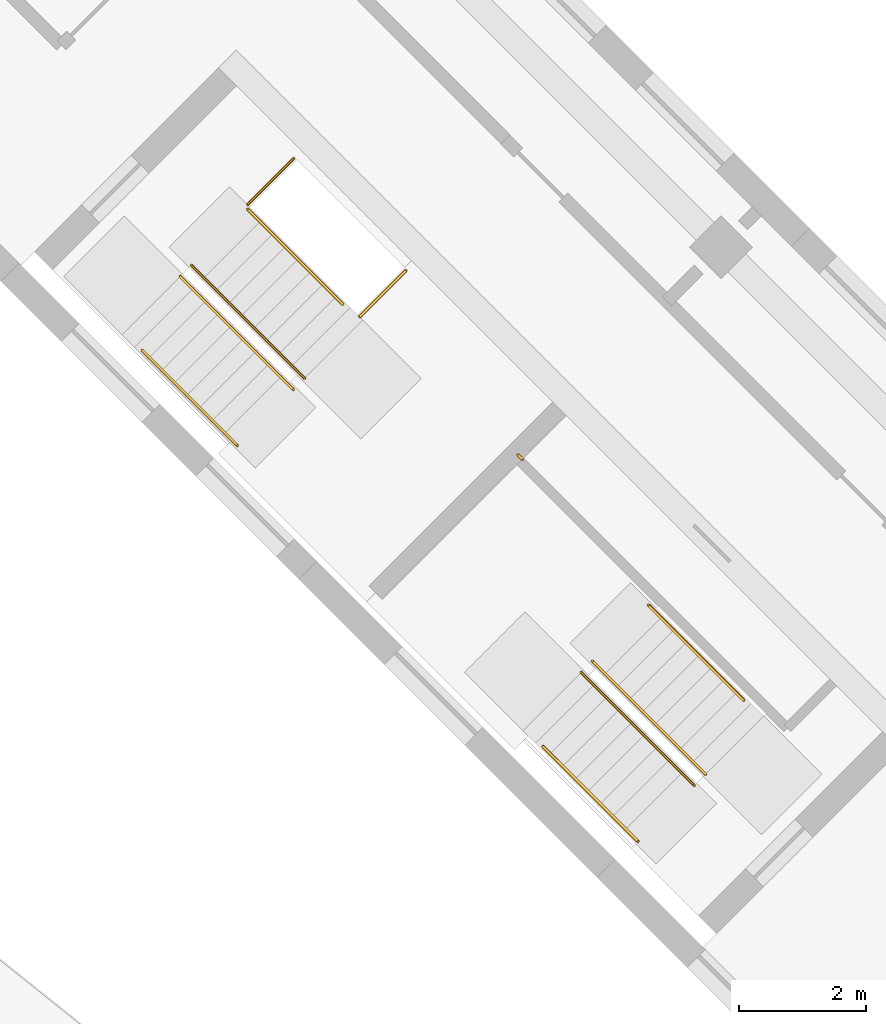
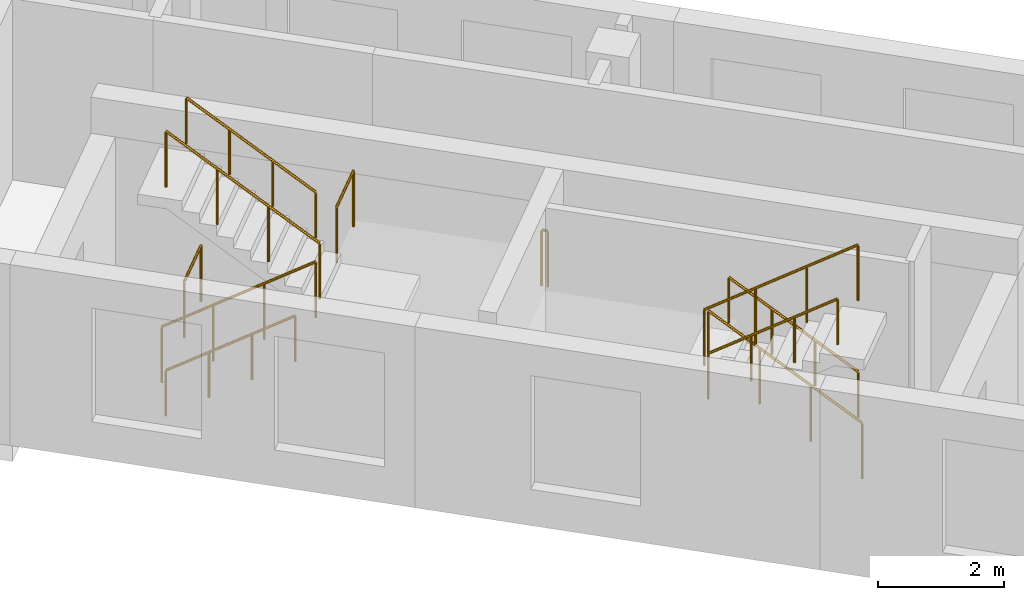
# One storey, part 5 of 6: 11 railings.
"""IFC4 building model written with IfcOpenShell, lengths in metres."""

from ifc_helpers import new_model, si_unit, direction, frame, origin, origin_2d, place, context, subcontext, project, spatial, circle, extrude, material, type_object, element, save


model = new_model("IFC4")

# Units and contexts
model_context = context("Model", 3, precision=1e-05, world=origin(), true_north=direction((0.0, 1.0)))
body_context = subcontext(model_context, "Body", "Model", "MODEL_VIEW")
ifc_project = project(units=[si_unit("LENGTHUNIT", "METRE"), si_unit("AREAUNIT", "SQUARE_METRE"), si_unit("VOLUMEUNIT", "CUBIC_METRE"), si_unit("PLANEANGLEUNIT", "RADIAN"), si_unit("MASSUNIT", "GRAM", prefix="KILO")], contexts=[model_context])

# Site, building, storey
site_placement = place(None, origin())
site = spatial("IfcSite", under=ifc_project, at=site_placement, CompositionType="ELEMENT")
building_placement = place(site_placement, origin())
building = spatial("IfcBuilding", under=site, at=building_placement, Name="Windrow Commons", CompositionType="ELEMENT")
storey_placement = place(building_placement, frame((0.0, 0.0, 305.8)))
storey = spatial("IfcBuildingStorey", under=building, at=storey_placement, Name="L83", CompositionType="ELEMENT", Elevation=305.8)

# Railings
ifc_material_1 = material(Name="Steel S355", Category="steel")
railing_type_1 = type_object("IfcRailingType", Name="Core stair guard 1100", PredefinedType="GUARDRAIL", material=ifc_material_1)
railing_1_placement = place(storey_placement, frame((85.9529, 56.2669, 0.19)))
element("IfcRailing", 1, at=railing_1_placement, inside=storey, type_object=railing_type_1, Name="L83 ST-B1 stair guard 1", PredefinedType="GUARDRAIL", context=body_context, shape_type="SweptSolid", body=[
    extrude(circle(Radius=0.024, at=origin_2d()), frame((0.0, 0.0, 1.076), z_axis=(0.5851127904, -0.5851127904, 0.5615033793), x_axis=(0.7071067812, 0.7071067812, 0.0)), (0.0, 0.0, 1.0), 3.0454),
    extrude(circle(Radius=0.021, at=origin_2d()), origin(), (0.0, 0.0, 1.0), 1.052),
    extrude(circle(Radius=0.021, at=origin_2d()), frame((0.594, -0.594, 0.57)), (0.0, 0.0, 1.0), 1.052),
    extrude(circle(Radius=0.021, at=origin_2d()), frame((1.1879, -1.1879, 1.14)), (0.0, 0.0, 1.0), 1.052),
    extrude(circle(Radius=0.021, at=origin_2d()), frame((1.7819, -1.7819, 1.71)), (0.0, 0.0, 1.0), 1.052),
])
railing_2_placement = place(storey_placement, frame((87.9116, 54.6617, 2.09)))
element("IfcRailing", 2, at=railing_2_placement, inside=storey, type_object=railing_type_1, Name="L83 ST-B1 stair guard 2", PredefinedType="GUARDRAIL", context=body_context, shape_type="SweptSolid", body=[
    extrude(circle(Radius=0.024, at=origin_2d()), frame((0.0, 0.0, 1.076), z_axis=(-0.5851231427, 0.5851231427, 0.5614818036), x_axis=(-0.7071067812, -0.7071067812, 0.0)), (0.0, 0.0, 1.0), 3.0455),
    extrude(circle(Radius=0.021, at=origin_2d()), origin(), (0.0, 0.0, 1.0), 1.052),
    extrude(circle(Radius=0.021, at=origin_2d()), frame((-0.594, 0.594, 0.57)), (0.0, 0.0, 1.0), 1.052),
    extrude(circle(Radius=0.021, at=origin_2d()), frame((-1.188, 1.188, 1.14)), (0.0, 0.0, 1.0), 1.052),
    extrude(circle(Radius=0.021, at=origin_2d()), frame((-1.782, 1.782, 1.71)), (0.0, 0.0, 1.0), 1.052),
])
railing_3_placement = place(storey_placement, frame((87.0135, 57.3982, 0.0)))
element("IfcRailing", 3, at=railing_3_placement, inside=storey, type_object=railing_type_1, Name="L83 ST-B1 stair guard 3", PredefinedType="GUARDRAIL", context=body_context, shape_type="SweptSolid", body=[
    extrude(circle(Radius=0.024, at=origin_2d()), frame((0.0, 0.0, 1.076), z_axis=(0.7070582378, 0.7071553212, 0.0), x_axis=(-0.7071553212, 0.7070582378, 0.0)), (0.0, 0.0, 1.0), 1.03),
    extrude(circle(Radius=0.021, at=origin_2d()), origin(), (0.0, 0.0, 1.0), 1.052),
    extrude(circle(Radius=0.021, at=origin_2d()), frame((0.7283, 0.7284, 0.0)), (0.0, 0.0, 1.0), 1.052),
])
railing_4_placement = place(storey_placement, frame((88.7813, 55.6305, 1.9)))
element("IfcRailing", 4, at=railing_4_placement, inside=storey, type_object=railing_type_1, Name="L83 ST-B1 stair guard 4", PredefinedType="GUARDRAIL", context=body_context, shape_type="SweptSolid", body=[
    extrude(circle(Radius=0.024, at=origin_2d()), frame((0.0, 0.0, 1.076), z_axis=(0.7071067812, 0.7071067812, 0.0), x_axis=(-0.7071067812, 0.7071067812, 0.0)), (0.0, 0.0, 1.0), 1.03),
    extrude(circle(Radius=0.021, at=origin_2d()), origin(), (0.0, 0.0, 1.0), 1.052),
    extrude(circle(Radius=0.021, at=origin_2d()), frame((0.7283, 0.7283, 0.0)), (0.0, 0.0, 1.0), 1.052),
])
railing_5_placement = place(storey_placement, frame((94.2296, 48.4215, 0.19)))
element("IfcRailing", 5, at=railing_5_placement, inside=storey, type_object=railing_type_1, Name="L83 ST-B2 stair guard 1", PredefinedType="GUARDRAIL", context=body_context, shape_type="SweptSolid", body=[
    extrude(circle(Radius=0.024, at=origin_2d()), frame((0.0, 0.0, 1.076), z_axis=(-0.5851343845, 0.5851015486, 0.5614925911), x_axis=(-0.7070869401, -0.7071266217, 0.0)), (0.0, 0.0, 1.0), 3.0455),
    extrude(circle(Radius=0.021, at=origin_2d()), origin(), (0.0, 0.0, 1.0), 1.052),
    extrude(circle(Radius=0.021, at=origin_2d()), frame((-0.594, 0.594, 0.57)), (0.0, 0.0, 1.0), 1.052),
    extrude(circle(Radius=0.021, at=origin_2d()), frame((-1.188, 1.1879, 1.14)), (0.0, 0.0, 1.0), 1.052),
    extrude(circle(Radius=0.021, at=origin_2d()), frame((-1.782, 1.7819, 1.71)), (0.0, 0.0, 1.0), 1.052),
])
railing_6_placement = place(storey_placement, frame((92.2709, 50.0267, 2.09)))
element("IfcRailing", 6, at=railing_6_placement, inside=storey, type_object=railing_type_1, Name="L83 ST-B2 stair guard 2", PredefinedType="GUARDRAIL", context=body_context, shape_type="SweptSolid", body=[
    extrude(circle(Radius=0.024, at=origin_2d()), frame((0.0, 0.0, 1.076), z_axis=(0.5851015486, -0.5851343845, 0.5614925911), x_axis=(0.7071266217, 0.7070869401, 0.0)), (0.0, 0.0, 1.0), 3.0455),
    extrude(circle(Radius=0.021, at=origin_2d()), origin(), (0.0, 0.0, 1.0), 1.052),
    extrude(circle(Radius=0.021, at=origin_2d()), frame((0.594, -0.594, 0.57)), (0.0, 0.0, 1.0), 1.052),
    extrude(circle(Radius=0.021, at=origin_2d()), frame((1.1879, -1.188, 1.14)), (0.0, 0.0, 1.0), 1.052),
    extrude(circle(Radius=0.021, at=origin_2d()), frame((1.7819, -1.782, 1.71)), (0.0, 0.0, 1.0), 1.052),
])
railing_7_placement = place(storey_placement, frame((91.3446, 53.3854, 1.9)))
element("IfcRailing", 7, at=railing_7_placement, inside=storey, type_object=railing_type_1, Name="L83 ST-B2 stair guard 3", PredefinedType="GUARDRAIL", context=body_context, shape_type="SweptSolid", body=[
    extrude(circle(Radius=0.024, at=origin_2d()), frame((0.0, 0.0, 1.076), z_axis=(-0.7076063266, 0.7066068826, 0.0), x_axis=(-0.7066068826, -0.7076063266, 0.0)), (0.0, 0.0, 1.0), 0.1001),
    extrude(circle(Radius=0.021, at=origin_2d()), origin(), (0.0, 0.0, 1.0), 1.052),
    extrude(circle(Radius=0.021, at=origin_2d()), frame((-0.0708, 0.0707, 0.0)), (0.0, 0.0, 1.0), 1.052),
])
ifc_material_2 = material(Name="Steel S355", Category="steel")
railing_type_2 = type_object("IfcRailingType", Name="Core stair handrail 900", PredefinedType="HANDRAIL", material=ifc_material_2)
railing_8_placement = place(storey_placement, frame((85.3518, 55.1001, 0.4614)))
element("IfcRailing", 8, at=railing_8_placement, inside=storey, type_object=railing_type_2, Name="L83 ST-B1 stair handrail 1", PredefinedType="HANDRAIL", context=body_context, shape_type="SweptSolid", body=[
    extrude(circle(Radius=0.024, at=origin_2d()), frame((0.0, 0.0, 0.876), z_axis=(0.5851275679, -0.5850885359, 0.561513254), x_axis=(0.7070831956, 0.707130366, 0.0)), (0.0, 0.0, 1.0), 2.562),
    extrude(circle(Radius=0.021, at=origin_2d()), origin(), (0.0, 0.0, 1.0), 0.852),
    extrude(circle(Radius=0.021, at=origin_2d()), frame((0.4997, -0.4997, 0.4795)), (0.0, 0.0, 1.0), 0.852),
    extrude(circle(Radius=0.021, at=origin_2d()), frame((0.9994, -0.9993, 0.9591)), (0.0, 0.0, 1.0), 0.852),
    extrude(circle(Radius=0.021, at=origin_2d()), frame((1.4991, -1.499, 1.4386)), (0.0, 0.0, 1.0), 0.852),
])
for number, where, name in (
    (9, (88.5126, 55.8285, 2.3614), "L83 ST-B1 stair handrail 2"),
    (10, (94.8306, 49.5883, 0.4614), "L83 ST-B2 stair handrail 1"),
):
    element("IfcRailing", number, at=place(storey_placement, frame(where)), inside=storey, type_object=railing_type_2, Name=name, PredefinedType="HANDRAIL", context=body_context, shape_type="SweptSolid", body=[
        extrude(circle(Radius=0.024, at=origin_2d()), frame((0.0, 0.0, 0.876), z_axis=(-0.5851275679, 0.5850885359, 0.561513254), x_axis=(-0.7070831956, -0.707130366, 0.0)), (0.0, 0.0, 1.0), 2.562),
        extrude(circle(Radius=0.021, at=origin_2d()), origin(), (0.0, 0.0, 1.0), 0.852),
        extrude(circle(Radius=0.021, at=origin_2d()), frame((-0.4997, 0.4997, 0.4795)), (0.0, 0.0, 1.0), 0.852),
        extrude(circle(Radius=0.021, at=origin_2d()), frame((-0.9994, 0.9993, 0.9591)), (0.0, 0.0, 1.0), 0.852),
        extrude(circle(Radius=0.021, at=origin_2d()), frame((-1.4991, 1.499, 1.4386)), (0.0, 0.0, 1.0), 0.852),
    ])
railing_9_placement = place(storey_placement, frame((91.6698, 48.8599, 2.3614)))
element("IfcRailing", 11, at=railing_9_placement, inside=storey, type_object=railing_type_2, Name="L83 ST-B2 stair handrail 2", PredefinedType="HANDRAIL", context=body_context, shape_type="SweptSolid", body=[
    extrude(circle(Radius=0.024, at=origin_2d()), frame((0.0, 0.0, 0.876), z_axis=(0.5851275679, -0.5850885359, 0.561513254), x_axis=(0.7070831956, 0.707130366, 0.0)), (0.0, 0.0, 1.0), 2.562),
    extrude(circle(Radius=0.021, at=origin_2d()), origin(), (0.0, 0.0, 1.0), 0.852),
    extrude(circle(Radius=0.021, at=origin_2d()), frame((0.4997, -0.4997, 0.4795)), (0.0, 0.0, 1.0), 0.852),
    extrude(circle(Radius=0.021, at=origin_2d()), frame((0.9994, -0.9993, 0.9591)), (0.0, 0.0, 1.0), 0.852),
    extrude(circle(Radius=0.021, at=origin_2d()), frame((1.4991, -1.499, 1.4386)), (0.0, 0.0, 1.0), 0.852),
])

save(model, "model.ifc")
